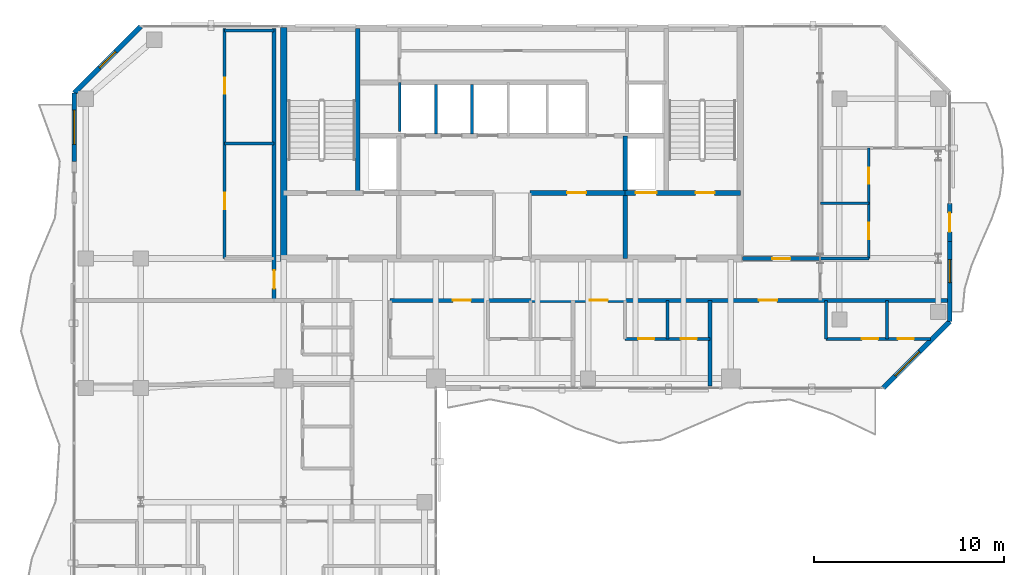
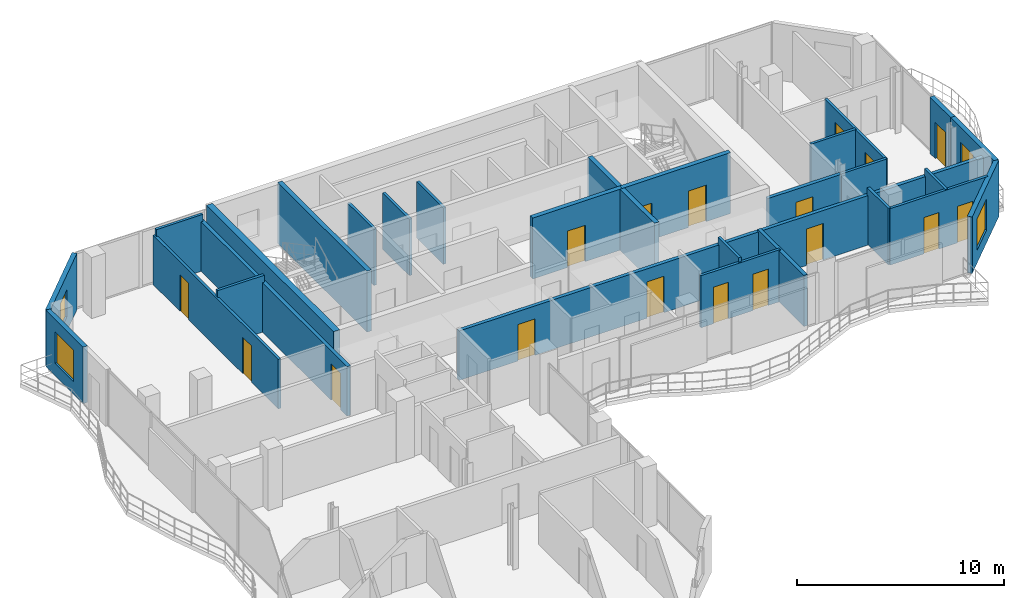
# One storey, part 19 of 23: 28 walls, 17 doors, 4 windows, 21 openings.
"""IFC4 building model written with IfcOpenShell, lengths in metres."""

from ifc_helpers import new_model, si_unit, direction, frame, frame_2d, origin, place, context, subcontext, project, spatial, rectangle, extrude, material, layer, layer_set, type_object, element, fill, save


model = new_model("IFC4")

# Units and contexts
model_context = context("Model", 3, precision=1e-05, world=origin(), true_north=direction((0.0, 1.0)))
body_context = subcontext(model_context, "Body", "Model", "MODEL_VIEW")
ifc_project = project(units=[si_unit("LENGTHUNIT", "METRE"), si_unit("AREAUNIT", "SQUARE_METRE"), si_unit("VOLUMEUNIT", "CUBIC_METRE"), si_unit("PLANEANGLEUNIT", "RADIAN"), si_unit("MASSUNIT", "GRAM", prefix="KILO")], contexts=[model_context])

# Site, building, storey
site_placement = place(None, origin())
site = spatial("IfcSite", under=ifc_project, at=site_placement, CompositionType="ELEMENT")
building_placement = place(site_placement, origin())
building = spatial("IfcBuilding", under=site, at=building_placement, Name="Catumbela Crestline Tower", CompositionType="ELEMENT")
storey_placement = place(building_placement, frame((0.0, 0.0, 175.8)))
storey = spatial("IfcBuildingStorey", under=building, at=storey_placement, Name="L45", CompositionType="ELEMENT", Elevation=175.8)

# Walls
ifc_material_1 = material(Name="Concrete C50/60", Category="concrete")
ifc_layer_1 = layer(ifc_material_1, 0.25, Name="Concrete C50/60")
ifc_layer_set_1 = layer_set([ifc_layer_1], Name="Concrete C50/60")
wall_type_1 = type_object("IfcWallType", Name="CW-250D", PredefinedType="SHEAR", material=ifc_layer_set_1)
wall_1_placement = place(storey_placement, frame((19.9, 34.25, 0.0), z_axis=(0.0, 0.0, 1.0), x_axis=(0.0, 1.0, 0.0)))
element("IfcWall", 1, at=wall_1_placement, inside=storey, type_object=wall_type_1, Name="L45 Structural Core Shear Wall WWEB", PredefinedType="SHEAR", context=body_context, shape_type="SweptSolid", body=[
    extrude(rectangle(XDim=8.65, YDim=0.25, at=frame_2d((4.325, 0.0))), origin(), (0.0, 0.0, 1.0), 3.6),
])
wall_2_placement = place(storey_placement, frame((33.95, 30.8, 0.0), z_axis=(0.0, 0.0, 1.0), x_axis=(0.0, 1.0, 0.0)))
element("IfcWall", 2, at=wall_2_placement, inside=storey, type_object=wall_type_1, Name="L45 Structural Core Shear Wall FFE", PredefinedType="SHEAR", context=body_context, shape_type="SweptSolid", body=[
    extrude(rectangle(XDim=6.45, YDim=0.25, at=frame_2d((3.225, 0.0))), origin(), (0.0, 0.0, 1.0), 3.6),
])

# Wall, openings, doors
wall_3_placement = place(storey_placement, frame((33.95, 34.25, 0.0), z_axis=(0.0, 0.0, 1.0), x_axis=(1.0, 0.0, 0.0)))
wall_3 = element("IfcWall", 3, at=wall_3_placement, inside=storey, type_object=wall_type_1, Name="L45 Structural Core Shear Wall ST2S", PredefinedType="SHEAR", context=body_context, shape_type="SweptSolid", body=[
    extrude(rectangle(XDim=6.05, YDim=0.25, at=frame_2d((3.025, 0.0))), origin(), (0.0, 0.0, 1.0), 3.6),
])
opening_1_placement = place(wall_3_placement, frame((3.7, 0.0, 0.0)))
opening_1 = element("IfcOpeningElement", 4, at=opening_1_placement, cuts=wall_3, Name="Opening DF9-100", PredefinedType="OPENING", context=body_context, shape_type="SweptSolid", body=[
    extrude(rectangle(XDim=1.0, YDim=2.15, at=frame_2d((0.5, 1.075))), frame((0.0, 0.135, 0.0), z_axis=(0.0, -1.0, 0.0), x_axis=(1.0, 0.0, 0.0)), (0.0, 0.0, 1.0), 0.27),
])
opening_2_placement = place(wall_3_placement, frame((0.55, 0.0, 0.0)))
opening_2 = element("IfcOpeningElement", 5, at=opening_2_placement, cuts=wall_3, Name="Opening LD-110", PredefinedType="OPENING", context=body_context, shape_type="SweptSolid", body=[
    extrude(rectangle(XDim=1.1, YDim=2.15, at=frame_2d((0.55, 1.075))), frame((0.0, 0.135, 0.0), z_axis=(0.0, -1.0, 0.0), x_axis=(1.0, 0.0, 0.0)), (0.0, 0.0, 1.0), 0.27),
])
ifc_material_2 = material(Name="Stainless steel EN 1.4401", Category="steel")
door_type_1 = type_object("IfcDoorType", Name="DF9-100", OperationType="NOTDEFINED", PredefinedType="DOOR", material=ifc_material_2)
door_1_placement = place(opening_1_placement, origin())
door_1 = element("IfcDoor", 6, at=door_1_placement, inside=storey, type_object=door_type_1, Name="L45 Interior Door DR-L45-ST02", OperationType="SINGLE_SWING_RIGHT", OverallHeight=2.15, OverallWidth=1.0, PredefinedType="DOOR", context=body_context, shape_type="SweptSolid", body=[
    extrude(rectangle(XDim=1.0, YDim=2.15, at=frame_2d((0.5, 1.075))), frame((0.0, 0.025, 0.0), z_axis=(0.0, -1.0, 0.0), x_axis=(1.0, 0.0, 0.0)), (0.0, 0.0, 1.0), 0.05),
])
fill(opening_1, door_1)
door_type_2 = type_object("IfcDoorType", Name="LD-110", OperationType="NOTDEFINED", PredefinedType="DOOR", material=ifc_material_2)
door_2_placement = place(opening_2_placement, origin())
door_2 = element("IfcDoor", 7, at=door_2_placement, inside=storey, type_object=door_type_2, Name="L45 Lift Landing Sliding Door FL-02", OperationType="DOUBLE_DOOR_SLIDING", OverallHeight=2.15, OverallWidth=1.1, PredefinedType="DOOR", context=body_context, shape_type="SweptSolid", body=[
    extrude(rectangle(XDim=1.1, YDim=2.15, at=frame_2d((0.55, 1.075))), frame((0.0, 0.025, 0.0), z_axis=(0.0, -1.0, 0.0), x_axis=(1.0, 0.0, 0.0)), (0.0, 0.0, 1.0), 0.05),
])
fill(opening_2, door_2)

# Wall, opening, door
wall_4_placement = place(storey_placement, frame((28.95, 34.25, 0.0), z_axis=(0.0, 0.0, 1.0), x_axis=(1.0, 0.0, 0.0)))
wall_4 = element("IfcWall", 8, at=wall_4_placement, inside=storey, type_object=wall_type_1, Name="L45 Structural Core Shear Wall LIFTS-E", PredefinedType="SHEAR", context=body_context, shape_type="SweptSolid", body=[
    extrude(rectangle(XDim=5.0, YDim=0.25, at=frame_2d((2.5, 0.0))), origin(), (0.0, 0.0, 1.0), 3.6),
])
opening_3_placement = place(wall_4_placement, frame((1.95, 0.0, 0.0)))
opening_3 = element("IfcOpeningElement", 9, at=opening_3_placement, cuts=wall_4, Name="Opening DF9-100", PredefinedType="OPENING", context=body_context, shape_type="SweptSolid", body=[
    extrude(rectangle(XDim=1.0, YDim=2.15, at=frame_2d((0.5, 1.075))), frame((0.0, 0.135, 0.0), z_axis=(0.0, -1.0, 0.0), x_axis=(1.0, 0.0, 0.0)), (0.0, 0.0, 1.0), 0.27),
])
door_3_placement = place(opening_3_placement, origin())
door_3 = element("IfcDoor", 10, at=door_3_placement, inside=storey, type_object=door_type_1, Name="L45 Interior Door DR-L45-RECL2", OperationType="SINGLE_SWING_RIGHT", OverallHeight=2.15, OverallWidth=1.0, PredefinedType="DOOR", context=body_context, shape_type="SweptSolid", body=[
    extrude(rectangle(XDim=1.0, YDim=2.15, at=frame_2d((0.5, 1.075))), frame((0.0, 0.025, 0.0), z_axis=(0.0, -1.0, 0.0), x_axis=(1.0, 0.0, 0.0)), (0.0, 0.0, 1.0), 0.05),
])
fill(opening_3, door_3)

# Wall
ifc_layer_2 = layer(ifc_material_1, 0.35, Name="Concrete C50/60")
ifc_layer_set_2 = layer_set([ifc_layer_2], Name="Concrete C50/60")
wall_type_2 = type_object("IfcWallType", Name="CW-350B", PredefinedType="SHEAR", material=ifc_layer_set_2)
wall_5_placement = place(storey_placement, frame((16.0, 30.65, 0.0), z_axis=(0.0, 0.0, 1.0), x_axis=(0.0, 1.0, 0.0)))
element("IfcWall", 11, at=wall_5_placement, inside=storey, type_object=wall_type_2, Name="L45 Structural Core Shear Wall W", PredefinedType="SHEAR", context=body_context, shape_type="SweptSolid", body=[
    extrude(rectangle(XDim=12.3, YDim=0.35, at=frame_2d((6.15, 0.0))), origin(), (0.0, 0.0, 1.0), 3.6),
])

# Wall, openings, doors
ifc_material_3 = material(Name="Acoustic gypsum and mineral-wool partition")
ifc_layer_3 = layer(ifc_material_3, 0.2, Name="Acoustic gypsum and mineral-wool partition")
ifc_layer_set_3 = layer_set([ifc_layer_3], Name="Acoustic gypsum and mineral-wool partition")
wall_type_3 = type_object("IfcWallType", Name="WC-200", PredefinedType="PARTITIONING", material=ifc_layer_set_3)
wall_6_placement = place(storey_placement, frame((21.6, 28.6, 0.0), z_axis=(0.0, 0.0, 1.0), x_axis=(1.0, 0.0, 0.0)))
wall_6 = element("IfcWall", 12, at=wall_6_placement, inside=storey, type_object=wall_type_3, Name="L45 Interior Partition PW-L45-RCWR", PredefinedType="PARTITIONING", context=body_context, shape_type="SweptSolid", body=[
    extrude(rectangle(XDim=29.3, YDim=0.2, at=frame_2d((14.65, 0.0))), origin(), (0.0, 0.0, 1.0), 2.92),
])
opening_4_placement = place(wall_6_placement, frame((3.293, 0.0, 0.0)))
opening_4 = element("IfcOpeningElement", 13, at=opening_4_placement, cuts=wall_6, Name="Opening DF6-095", PredefinedType="OPENING", context=body_context, shape_type="SweptSolid", body=[
    extrude(rectangle(XDim=0.95, YDim=2.15, at=frame_2d((0.475, 1.075))), frame((0.0, 0.11, 0.0), z_axis=(0.0, -1.0, 0.0), x_axis=(1.0, 0.0, 0.0)), (0.0, 0.0, 1.0), 0.22),
])
opening_5_placement = place(wall_6_placement, frame((10.493, 0.0, 0.0)))
opening_5 = element("IfcOpeningElement", 14, at=opening_5_placement, cuts=wall_6, Name="Opening DF6-095", PredefinedType="OPENING", context=body_context, shape_type="SweptSolid", body=[
    extrude(rectangle(XDim=0.95, YDim=2.15, at=frame_2d((0.475, 1.075))), frame((0.0, 0.11, 0.0), z_axis=(0.0, -1.0, 0.0), x_axis=(1.0, 0.0, 0.0)), (0.0, 0.0, 1.0), 0.22),
])
opening_6_placement = place(wall_6_placement, frame((19.375, 0.0, 0.0)))
opening_6 = element("IfcOpeningElement", 15, at=opening_6_placement, cuts=wall_6, Name="Opening DF6-095", PredefinedType="OPENING", context=body_context, shape_type="SweptSolid", body=[
    extrude(rectangle(XDim=0.95, YDim=2.15, at=frame_2d((0.475, 1.075))), frame((0.0, 0.11, 0.0), z_axis=(0.0, -1.0, 0.0), x_axis=(1.0, 0.0, 0.0)), (0.0, 0.0, 1.0), 0.22),
])
ifc_material_4 = material(Name="Aluminium alloy AW-6060-T66", Category="aluminium")
door_type_3 = type_object("IfcDoorType", Name="DF6-095", OperationType="NOTDEFINED", PredefinedType="DOOR", material=ifc_material_4)
door_4_placement = place(opening_4_placement, origin())
door_4 = element("IfcDoor", 16, at=door_4_placement, inside=storey, type_object=door_type_3, Name="L45 Interior Door DR-L45-S1-ENT", OperationType="SINGLE_SWING_LEFT", OverallHeight=2.15, OverallWidth=0.95, PredefinedType="DOOR", context=body_context, shape_type="SweptSolid", body=[
    extrude(rectangle(XDim=0.95, YDim=2.15, at=frame_2d((0.475, 1.075))), frame((0.0, 0.025, 0.0), z_axis=(0.0, -1.0, 0.0), x_axis=(1.0, 0.0, 0.0)), (0.0, 0.0, 1.0), 0.05),
])
fill(opening_4, door_4)
door_5_placement = place(opening_5_placement, origin())
door_5 = element("IfcDoor", 17, at=door_5_placement, inside=storey, type_object=door_type_3, Name="L45 Interior Door DR-L45-S2-ENT", OperationType="SINGLE_SWING_RIGHT", OverallHeight=2.15, OverallWidth=0.95, PredefinedType="DOOR", context=body_context, shape_type="SweptSolid", body=[
    extrude(rectangle(XDim=0.95, YDim=2.15, at=frame_2d((0.475, 1.075))), frame((0.0, 0.025, 0.0), z_axis=(0.0, -1.0, 0.0), x_axis=(1.0, 0.0, 0.0)), (0.0, 0.0, 1.0), 0.05),
])
fill(opening_5, door_5)
door_6_placement = place(opening_6_placement, origin())
door_6 = element("IfcDoor", 18, at=door_6_placement, inside=storey, type_object=door_type_3, Name="L45 Interior Door DR-L45-S3-ENT", OperationType="SINGLE_SWING_LEFT", OverallHeight=2.15, OverallWidth=0.95, PredefinedType="DOOR", context=body_context, shape_type="SweptSolid", body=[
    extrude(rectangle(XDim=0.95, YDim=2.15, at=frame_2d((0.475, 1.075))), frame((0.0, 0.025, 0.0), z_axis=(0.0, -1.0, 0.0), x_axis=(1.0, 0.0, 0.0)), (0.0, 0.0, 1.0), 0.05),
])
fill(opening_6, door_6)

# Wall, opening, door
wall_7_placement = place(storey_placement, frame((15.5, 28.6, 0.0), z_axis=(0.0, 0.0, 1.0), x_axis=(0.0, 1.0, 0.0)))
wall_7 = element("IfcWall", 19, at=wall_7_placement, inside=storey, type_object=wall_type_3, Name="L45 Interior Partition PW-L45-NW1-ENT", PredefinedType="PARTITIONING", context=body_context, shape_type="SweptSolid", body=[
    extrude(rectangle(XDim=14.3, YDim=0.2, at=frame_2d((7.15, 0.0))), origin(), (0.0, 0.0, 1.0), 2.92),
])
opening_7_placement = place(wall_7_placement, frame((0.625, 0.0, 0.0)))
opening_7 = element("IfcOpeningElement", 20, at=opening_7_placement, cuts=wall_7, Name="Opening DF6-095", PredefinedType="OPENING", context=body_context, shape_type="SweptSolid", body=[
    extrude(rectangle(XDim=0.95, YDim=2.15, at=frame_2d((0.475, 1.075))), frame((0.0, 0.11, 0.0), z_axis=(0.0, -1.0, 0.0), x_axis=(1.0, 0.0, 0.0)), (0.0, 0.0, 1.0), 0.22),
])
door_7_placement = place(opening_7_placement, origin())
door_7 = element("IfcDoor", 21, at=door_7_placement, inside=storey, type_object=door_type_3, Name="L45 Interior Door DR-L45-NW1-ENT", OperationType="SINGLE_SWING_LEFT", OverallHeight=2.15, OverallWidth=0.95, PredefinedType="DOOR", context=body_context, shape_type="SweptSolid", body=[
    extrude(rectangle(XDim=0.95, YDim=2.15, at=frame_2d((0.475, 1.075))), frame((0.0, 0.025, 0.0), z_axis=(0.0, -1.0, 0.0), x_axis=(1.0, 0.0, 0.0)), (0.0, 0.0, 1.0), 0.05),
])
fill(opening_7, door_7)

wall_8_placement = place(storey_placement, frame((40.1, 30.8, 0.0), z_axis=(0.0, 0.0, 1.0), x_axis=(1.0, 0.0, 0.0)))
wall_8 = element("IfcWall", 22, at=wall_8_placement, inside=storey, type_object=wall_type_3, Name="L45 Interior Partition PW-L45-NERM-ENT", PredefinedType="PARTITIONING", context=body_context, shape_type="SweptSolid", body=[
    extrude(rectangle(XDim=4.1, YDim=0.2, at=frame_2d((2.05, 0.0))), origin(), (0.0, 0.0, 1.0), 2.92),
])
opening_8_placement = place(wall_8_placement, frame((1.575, 0.0, 0.0)))
opening_8 = element("IfcOpeningElement", 23, at=opening_8_placement, cuts=wall_8, Name="Opening DF6-095", PredefinedType="OPENING", context=body_context, shape_type="SweptSolid", body=[
    extrude(rectangle(XDim=0.95, YDim=2.15, at=frame_2d((0.475, 1.075))), frame((0.0, 0.11, 0.0), z_axis=(0.0, -1.0, 0.0), x_axis=(1.0, 0.0, 0.0)), (0.0, 0.0, 1.0), 0.22),
])
door_8_placement = place(opening_8_placement, origin())
door_8 = element("IfcDoor", 24, at=door_8_placement, inside=storey, type_object=door_type_3, Name="L45 Interior Door DR-L45-NERM-ENT", OperationType="SINGLE_SWING_LEFT", OverallHeight=2.15, OverallWidth=0.95, PredefinedType="DOOR", context=body_context, shape_type="SweptSolid", body=[
    extrude(rectangle(XDim=0.95, YDim=2.15, at=frame_2d((0.475, 1.075))), frame((0.0, 0.025, 0.0), z_axis=(0.0, -1.0, 0.0), x_axis=(1.0, 0.0, 0.0)), (0.0, 0.0, 1.0), 0.05),
])
fill(opening_8, door_8)

# Wall, opening, window
ifc_material_5 = material(Name="Angolan grey-ochre granite", Category="masonry")
ifc_layer_4 = layer(ifc_material_5, 0.25, Name="Angolan grey-ochre granite")
ifc_layer_set_4 = layer_set([ifc_layer_4], Name="Angolan grey-ochre granite")
wall_type_4 = type_object("IfcWallType", Name="WE-250", PredefinedType="STANDARD", material=ifc_layer_set_4)
wall_9_placement = place(storey_placement, frame((47.5, 24.0, 0.0), z_axis=(0.0, 0.0, 1.0), x_axis=(0.707106781187, 0.707106781187, 0.0)))
wall_9 = element("IfcWall", 25, at=wall_9_placement, inside=storey, type_object=wall_type_4, Name="L45 Granite Punched Window Wall 4-1", PredefinedType="STANDARD", context=body_context, shape_type="SweptSolid", body=[
    extrude(rectangle(XDim=4.9497, YDim=0.25, at=frame_2d((2.4748, 0.0))), origin(), (0.0, 0.0, 1.0), 3.33),
])
opening_9_placement = place(wall_9_placement, frame((0.8962, 0.0, 0.75)))
opening_9 = element("IfcOpeningElement", 26, at=opening_9_placement, cuts=wall_9, Name="Opening WN-01", PredefinedType="OPENING", context=body_context, shape_type="SweptSolid", body=[
    extrude(rectangle(XDim=1.8, YDim=1.85, at=frame_2d((0.9, 0.925))), frame((0.0, 0.135, 0.0), z_axis=(0.0, -1.0, 0.0), x_axis=(1.0, 0.0, 0.0)), (0.0, 0.0, 1.0), 0.27),
])
ifc_material_6 = material(Name="Low-E laminated solar-control double glazing", Category="glass")
window_type_1 = type_object("IfcWindowType", Name="WF-1800", PartitioningType="SINGLE_PANEL", PredefinedType="WINDOW", material=ifc_material_6)
window_1_placement = place(opening_9_placement, origin())
window_1 = element("IfcWindow", 27, at=window_1_placement, inside=storey, type_object=window_type_1, Name="L45 Facade Vision Window 279", OverallHeight=1.85, OverallWidth=1.8, PartitioningType="SINGLE_PANEL", PredefinedType="WINDOW", context=body_context, shape_type="SweptSolid", body=[
    extrude(rectangle(XDim=1.8, YDim=1.85, at=frame_2d((0.9, 0.925))), frame((0.0, 0.03, 0.0), z_axis=(0.0, -1.0, 0.0), x_axis=(1.0, 0.0, 0.0)), (0.0, 0.0, 1.0), 0.06),
])
fill(opening_9, window_1)

# Wall, opening, door
wall_10_placement = place(storey_placement, frame((51.0, 31.7, 0.0), z_axis=(0.0, 0.0, 1.0), x_axis=(0.0, 1.0, 0.0)))
wall_10 = element("IfcWall", 28, at=wall_10_placement, inside=storey, type_object=wall_type_4, Name="L45 Exterior Threshold Portal Wall DR-L45-WBAL-2", PredefinedType="STANDARD", context=body_context, shape_type="SweptSolid", body=[
    extrude(rectangle(XDim=2.0, YDim=0.25, at=frame_2d((1.0, 0.0))), origin(), (0.0, 0.0, 1.0), 3.33),
])
opening_10_placement = place(wall_10_placement, frame((0.5, 0.0, 0.0)))
opening_10 = element("IfcOpeningElement", 29, at=opening_10_placement, cuts=wall_10, Name="Opening DB-L45-2", PredefinedType="OPENING", context=body_context, shape_type="SweptSolid", body=[
    extrude(rectangle(XDim=1.0, YDim=2.15, at=frame_2d((0.5, 1.075))), frame((0.0, 0.135, 0.0), z_axis=(0.0, -1.0, 0.0), x_axis=(1.0, 0.0, 0.0)), (0.0, 0.0, 1.0), 0.27),
])
door_type_4 = type_object("IfcDoorType", Name="DB-1000", OperationType="NOTDEFINED", PredefinedType="DOOR", material=ifc_material_4)
door_9_placement = place(opening_10_placement, origin())
door_9 = element("IfcDoor", 30, at=door_9_placement, inside=storey, type_object=door_type_4, Name="L45 Wave Balcony Terrace Door 2", OperationType="SINGLE_SWING_RIGHT", OverallHeight=2.15, OverallWidth=1.0, PredefinedType="DOOR", context=body_context, shape_type="SweptSolid", body=[
    extrude(rectangle(XDim=1.0, YDim=2.15, at=frame_2d((0.5, 1.075))), frame((0.0, 0.025, 0.0), z_axis=(0.0, -1.0, 0.0), x_axis=(1.0, 0.0, 0.0)), (0.0, 0.0, 1.0), 0.05),
])
fill(opening_10, door_9)

# Wall, opening, window
wall_11_placement = place(storey_placement, frame((51.0, 27.5, 0.0), z_axis=(0.0, 0.0, 1.0), x_axis=(0.0, 1.0, 0.0)))
wall_11 = element("IfcWall", 31, at=wall_11_placement, inside=storey, type_object=wall_type_4, Name="L45 Granite Punched Window Wall 5-1", PredefinedType="STANDARD", context=body_context, shape_type="SweptSolid", body=[
    extrude(rectangle(XDim=4.2, YDim=0.25, at=frame_2d((2.1, 0.0))), origin(), (0.0, 0.0, 1.0), 3.33),
])
opening_11_placement = place(wall_11_placement, frame((2.04, 0.0, 0.85)))
opening_11 = element("IfcOpeningElement", 32, at=opening_11_placement, cuts=wall_11, Name="Opening WN-02", PredefinedType="OPENING", context=body_context, shape_type="SweptSolid", body=[
    extrude(rectangle(XDim=1.2, YDim=1.6, at=frame_2d((0.6, 0.8))), frame((0.0, 0.135, 0.0), z_axis=(0.0, -1.0, 0.0), x_axis=(1.0, 0.0, 0.0)), (0.0, 0.0, 1.0), 0.27),
])
window_type_2 = type_object("IfcWindowType", Name="WO-1200", PartitioningType="SINGLE_PANEL", PredefinedType="WINDOW", material=ifc_material_6)
window_2_placement = place(opening_11_placement, origin())
window_2 = element("IfcWindow", 33, at=window_2_placement, inside=storey, type_object=window_type_2, Name="L45 Facade Vision Window 280", OverallHeight=1.6, OverallWidth=1.2, PartitioningType="SINGLE_PANEL", PredefinedType="WINDOW", context=body_context, shape_type="SweptSolid", body=[
    extrude(rectangle(XDim=1.2, YDim=1.6, at=frame_2d((0.6, 0.8))), frame((0.0, 0.03, 0.0), z_axis=(0.0, -1.0, 0.0), x_axis=(1.0, 0.0, 0.0)), (0.0, 0.0, 1.0), 0.06),
])
fill(opening_11, window_2)

wall_12_placement = place(storey_placement, frame((8.5, 43.0, 0.0), z_axis=(0.0, 0.0, 1.0), x_axis=(-0.707106781187, -0.707106781187, 0.0)))
wall_12 = element("IfcWall", 34, at=wall_12_placement, inside=storey, type_object=wall_type_4, Name="L45 Granite Punched Window Wall 8-1", PredefinedType="STANDARD", context=body_context, shape_type="SweptSolid", body=[
    extrude(rectangle(XDim=4.9497, YDim=0.25, at=frame_2d((2.4748, 0.0))), origin(), (0.0, 0.0, 1.0), 3.33),
])
opening_12_placement = place(wall_12_placement, frame((1.8748, 0.0, 0.85)))
opening_12 = element("IfcOpeningElement", 35, at=opening_12_placement, cuts=wall_12, Name="Opening WN-02", PredefinedType="OPENING", context=body_context, shape_type="SweptSolid", body=[
    extrude(rectangle(XDim=1.2, YDim=1.6, at=frame_2d((0.6, 0.8))), frame((0.0, 0.135, 0.0), z_axis=(0.0, -1.0, 0.0), x_axis=(1.0, 0.0, 0.0)), (0.0, 0.0, 1.0), 0.27),
])
window_3_placement = place(opening_12_placement, origin())
window_3 = element("IfcWindow", 36, at=window_3_placement, inside=storey, type_object=window_type_2, Name="L45 Facade Vision Window 282", OverallHeight=1.6, OverallWidth=1.2, PartitioningType="SINGLE_PANEL", PredefinedType="WINDOW", context=body_context, shape_type="SweptSolid", body=[
    extrude(rectangle(XDim=1.2, YDim=1.6, at=frame_2d((0.6, 0.8))), frame((0.0, 0.03, 0.0), z_axis=(0.0, -1.0, 0.0), x_axis=(1.0, 0.0, 0.0)), (0.0, 0.0, 1.0), 0.06),
])
fill(opening_12, window_3)

wall_13_placement = place(storey_placement, frame((5.0, 39.5, 0.0), z_axis=(0.0, 0.0, 1.0), x_axis=(0.0, -1.0, 0.0)))
wall_13 = element("IfcWall", 37, at=wall_13_placement, inside=storey, type_object=wall_type_4, Name="L45 Granite Punched Window Wall 9-1", PredefinedType="STANDARD", context=body_context, shape_type="SweptSolid", body=[
    extrude(rectangle(XDim=3.6, YDim=0.25, at=frame_2d((1.8, 0.0))), origin(), (0.0, 0.0, 1.0), 3.33),
])
opening_13_placement = place(wall_13_placement, frame((0.9, 0.0, 0.75)))
opening_13 = element("IfcOpeningElement", 38, at=opening_13_placement, cuts=wall_13, Name="Opening WN-01", PredefinedType="OPENING", context=body_context, shape_type="SweptSolid", body=[
    extrude(rectangle(XDim=1.8, YDim=1.85, at=frame_2d((0.9, 0.925))), frame((0.0, 0.135, 0.0), z_axis=(0.0, -1.0, 0.0), x_axis=(1.0, 0.0, 0.0)), (0.0, 0.0, 1.0), 0.27),
])
window_4_placement = place(opening_13_placement, origin())
window_4 = element("IfcWindow", 39, at=window_4_placement, inside=storey, type_object=window_type_1, Name="L45 Facade Vision Window 283", OverallHeight=1.85, OverallWidth=1.8, PartitioningType="SINGLE_PANEL", PredefinedType="WINDOW", context=body_context, shape_type="SweptSolid", body=[
    extrude(rectangle(XDim=1.8, YDim=1.85, at=frame_2d((0.9, 0.925))), frame((0.0, 0.03, 0.0), z_axis=(0.0, -1.0, 0.0), x_axis=(1.0, 0.0, 0.0)), (0.0, 0.0, 1.0), 0.06),
])
fill(opening_13, window_4)

# Wall
ifc_layer_5 = layer(ifc_material_3, 0.15, Name="Acoustic gypsum and mineral-wool partition")
ifc_layer_set_5 = layer_set([ifc_layer_5], Name="Acoustic gypsum and mineral-wool partition")
wall_type_5 = type_object("IfcWallType", Name="WP-150", PredefinedType="PARTITIONING", material=ifc_layer_set_5)
wall_14_placement = place(storey_placement, frame((12.9, 36.85, 0.0), z_axis=(0.0, 0.0, 1.0), x_axis=(1.0, 0.0, 0.0)))
element("IfcWall", 40, at=wall_14_placement, inside=storey, type_object=wall_type_5, Name="L45 Interior Partition PW-L45-NW1-KBM", PredefinedType="PARTITIONING", context=body_context, shape_type="SweptSolid", body=[
    extrude(rectangle(XDim=2.6, YDim=0.15, at=frame_2d((1.3, 0.0))), origin(), (0.0, 0.0, 1.0), 3.33),
])

# Wall, openings, doors
wall_15_placement = place(storey_placement, frame((12.9, 30.8, 0.0), z_axis=(0.0, 0.0, 1.0), x_axis=(0.0, 1.0, 0.0)))
wall_15 = element("IfcWall", 41, at=wall_15_placement, inside=storey, type_object=wall_type_5, Name="L45 Interior Partition PW-L45-NW1-SK1", PredefinedType="PARTITIONING", context=body_context, shape_type="SweptSolid", body=[
    extrude(rectangle(XDim=12.1, YDim=0.15, at=frame_2d((6.05, 0.0))), origin(), (0.0, 0.0, 1.0), 2.92),
])
opening_14_placement = place(wall_15_placement, frame((2.6, 0.0, 0.0)))
opening_14 = element("IfcOpeningElement", 42, at=opening_14_placement, cuts=wall_15, Name="Opening DI-085", PredefinedType="OPENING", context=body_context, shape_type="SweptSolid", body=[
    extrude(rectangle(XDim=0.85, YDim=2.15, at=frame_2d((0.425, 1.075))), frame((0.0, 0.085, 0.0), z_axis=(0.0, -1.0, 0.0), x_axis=(1.0, 0.0, 0.0)), (0.0, 0.0, 1.0), 0.17),
])
opening_15_placement = place(wall_15_placement, frame((8.65, 0.0, 0.0)))
opening_15 = element("IfcOpeningElement", 43, at=opening_15_placement, cuts=wall_15, Name="Opening DI-085", PredefinedType="OPENING", context=body_context, shape_type="SweptSolid", body=[
    extrude(rectangle(XDim=0.85, YDim=2.15, at=frame_2d((0.425, 1.075))), frame((0.0, 0.085, 0.0), z_axis=(0.0, -1.0, 0.0), x_axis=(1.0, 0.0, 0.0)), (0.0, 0.0, 1.0), 0.17),
])
door_type_5 = type_object("IfcDoorType", Name="DI-085", OperationType="NOTDEFINED", PredefinedType="DOOR", material=ifc_material_4)
door_10_placement = place(opening_14_placement, origin())
door_10 = element("IfcDoor", 44, at=door_10_placement, inside=storey, type_object=door_type_5, Name="L45 Interior Door DR-L45-NW1-KIT", OperationType="SINGLE_SWING_LEFT", OverallHeight=2.15, OverallWidth=0.85, PredefinedType="DOOR", context=body_context, shape_type="SweptSolid", body=[
    extrude(rectangle(XDim=0.85, YDim=2.15, at=frame_2d((0.425, 1.075))), frame((0.0, 0.025, 0.0), z_axis=(0.0, -1.0, 0.0), x_axis=(1.0, 0.0, 0.0)), (0.0, 0.0, 1.0), 0.05),
])
fill(opening_14, door_10)
door_11_placement = place(opening_15_placement, origin())
door_11 = element("IfcDoor", 45, at=door_11_placement, inside=storey, type_object=door_type_5, Name="L45 Interior Door DR-L45-NW1-BTH", OperationType="SINGLE_SWING_RIGHT", OverallHeight=2.15, OverallWidth=0.85, PredefinedType="DOOR", context=body_context, shape_type="SweptSolid", body=[
    extrude(rectangle(XDim=0.85, YDim=2.15, at=frame_2d((0.425, 1.075))), frame((0.0, 0.025, 0.0), z_axis=(0.0, -1.0, 0.0), x_axis=(1.0, 0.0, 0.0)), (0.0, 0.0, 1.0), 0.05),
])
fill(opening_15, door_11)

# Walls
wall_16_placement = place(storey_placement, frame((12.9, 42.78, 0.0), z_axis=(0.0, 0.0, 1.0), x_axis=(1.0, 0.0, 0.0)))
element("IfcWall", 46, at=wall_16_placement, inside=storey, type_object=wall_type_5, Name="L45 Interior Partition PW-L45-NW1-BTH-BCL-2", PredefinedType="PARTITIONING", context=body_context, shape_type="SweptSolid", body=[
    extrude(rectangle(XDim=2.6, YDim=0.15, at=frame_2d((1.3, 0.0))), origin(), (0.0, 0.0, 1.0), 3.33),
])
for number, where, z_axis, x_axis, name in (
    (47, (44.2, 30.8, 0.0), (0.0, 0.0, 1.0), (1.0, 0.0, 0.0), "L45 Interior Partition PW-L45-NE1-KBS"),
    (48, (44.2, 33.704, 0.0), (0.0, 0.0, 1.0), (1.0, 0.0, 0.0), "L45 Interior Partition PW-L45-NE1-KBM"),
):
    element("IfcWall", number, at=place(storey_placement, frame(where, z_axis=z_axis, x_axis=x_axis)), inside=storey, type_object=wall_type_5, Name=name, PredefinedType="PARTITIONING", context=body_context, shape_type="SweptSolid", body=[
        extrude(rectangle(XDim=2.546, YDim=0.15, at=frame_2d((1.273, 0.0))), origin(), (0.0, 0.0, 1.0), 2.92),
    ])

# Wall, openings, doors
wall_17_placement = place(storey_placement, frame((46.746, 30.8, 0.0), z_axis=(0.0, 0.0, 1.0), x_axis=(0.0, 1.0, 0.0)))
wall_17 = element("IfcWall", 49, at=wall_17_placement, inside=storey, type_object=wall_type_5, Name="L45 Interior Partition PW-L45-NE1-LK", PredefinedType="PARTITIONING", context=body_context, shape_type="SweptSolid", body=[
    extrude(rectangle(XDim=5.808, YDim=0.15, at=frame_2d((2.904, 0.0))), origin(), (0.0, 0.0, 1.0), 2.92),
])
opening_16_placement = place(wall_17_placement, frame((1.027, 0.0, 0.0)))
opening_16 = element("IfcOpeningElement", 50, at=opening_16_placement, cuts=wall_17, Name="Opening DI-085", PredefinedType="OPENING", context=body_context, shape_type="SweptSolid", body=[
    extrude(rectangle(XDim=0.85, YDim=2.15, at=frame_2d((0.425, 1.075))), frame((0.0, 0.085, 0.0), z_axis=(0.0, -1.0, 0.0), x_axis=(1.0, 0.0, 0.0)), (0.0, 0.0, 1.0), 0.17),
])
opening_17_placement = place(wall_17_placement, frame((3.931, 0.0, 0.0)))
opening_17 = element("IfcOpeningElement", 51, at=opening_17_placement, cuts=wall_17, Name="Opening DI-085", PredefinedType="OPENING", context=body_context, shape_type="SweptSolid", body=[
    extrude(rectangle(XDim=0.85, YDim=2.15, at=frame_2d((0.425, 1.075))), frame((0.0, 0.085, 0.0), z_axis=(0.0, -1.0, 0.0), x_axis=(1.0, 0.0, 0.0)), (0.0, 0.0, 1.0), 0.17),
])
door_12_placement = place(opening_16_placement, origin())
door_12 = element("IfcDoor", 52, at=door_12_placement, inside=storey, type_object=door_type_5, Name="L45 Interior Door DR-L45-NE1-KIT", OperationType="SINGLE_SWING_LEFT", OverallHeight=2.15, OverallWidth=0.85, PredefinedType="DOOR", context=body_context, shape_type="SweptSolid", body=[
    extrude(rectangle(XDim=0.85, YDim=2.15, at=frame_2d((0.425, 1.075))), frame((0.0, 0.025, 0.0), z_axis=(0.0, -1.0, 0.0), x_axis=(1.0, 0.0, 0.0)), (0.0, 0.0, 1.0), 0.05),
])
fill(opening_16, door_12)
door_13_placement = place(opening_17_placement, origin())
door_13 = element("IfcDoor", 53, at=door_13_placement, inside=storey, type_object=door_type_5, Name="L45 Interior Door DR-L45-NE1-BTH", OperationType="SINGLE_SWING_RIGHT", OverallHeight=2.15, OverallWidth=0.85, PredefinedType="DOOR", context=body_context, shape_type="SweptSolid", body=[
    extrude(rectangle(XDim=0.85, YDim=2.15, at=frame_2d((0.425, 1.075))), frame((0.0, 0.025, 0.0), z_axis=(0.0, -1.0, 0.0), x_axis=(1.0, 0.0, 0.0)), (0.0, 0.0, 1.0), 0.05),
])
fill(opening_17, door_13)

# Wall
wall_18_placement = place(storey_placement, frame((36.168, 26.576, 0.0), z_axis=(0.0, 0.0, 1.0), x_axis=(0.0, 1.0, 0.0)))
element("IfcWall", 54, at=wall_18_placement, inside=storey, type_object=wall_type_5, Name="L45 Interior Partition PW-L45-S2-KBM", PredefinedType="PARTITIONING", context=body_context, shape_type="SweptSolid", body=[
    extrude(rectangle(XDim=2.024, YDim=0.15, at=frame_2d((1.012, 0.0))), origin(), (0.0, 0.0, 1.0), 3.33),
])

# Wall, openings, doors
wall_19_placement = place(storey_placement, frame((33.936, 26.576, 0.0), z_axis=(0.0, 0.0, 1.0), x_axis=(1.0, 0.0, 0.0)))
wall_19 = element("IfcWall", 55, at=wall_19_placement, inside=storey, type_object=wall_type_5, Name="L45 Interior Partition PW-L45-S2-KBD1", PredefinedType="PARTITIONING", context=body_context, shape_type="SweptSolid", body=[
    extrude(rectangle(XDim=4.464, YDim=0.15, at=frame_2d((2.232, 0.0))), origin(), (0.0, 0.0, 1.0), 3.07),
])
opening_18_placement = place(wall_19_placement, frame((0.691, 0.0, 0.0)))
opening_18 = element("IfcOpeningElement", 56, at=opening_18_placement, cuts=wall_19, Name="Opening DI-085", PredefinedType="OPENING", context=body_context, shape_type="SweptSolid", body=[
    extrude(rectangle(XDim=0.85, YDim=2.15, at=frame_2d((0.425, 1.075))), frame((0.0, 0.085, 0.0), z_axis=(0.0, -1.0, 0.0), x_axis=(1.0, 0.0, 0.0)), (0.0, 0.0, 1.0), 0.17),
])
opening_19_placement = place(wall_19_placement, frame((2.923, 0.0, 0.0)))
opening_19 = element("IfcOpeningElement", 57, at=opening_19_placement, cuts=wall_19, Name="Opening DI-085", PredefinedType="OPENING", context=body_context, shape_type="SweptSolid", body=[
    extrude(rectangle(XDim=0.85, YDim=2.15, at=frame_2d((0.425, 1.075))), frame((0.0, 0.085, 0.0), z_axis=(0.0, -1.0, 0.0), x_axis=(1.0, 0.0, 0.0)), (0.0, 0.0, 1.0), 0.17),
])
door_14_placement = place(opening_18_placement, origin())
door_14 = element("IfcDoor", 58, at=door_14_placement, inside=storey, type_object=door_type_5, Name="L45 Interior Door DR-L45-S2-BTH", OperationType="SINGLE_SWING_LEFT", OverallHeight=2.15, OverallWidth=0.85, PredefinedType="DOOR", context=body_context, shape_type="SweptSolid", body=[
    extrude(rectangle(XDim=0.85, YDim=2.15, at=frame_2d((0.425, 1.075))), frame((0.0, 0.025, 0.0), z_axis=(0.0, -1.0, 0.0), x_axis=(1.0, 0.0, 0.0)), (0.0, 0.0, 1.0), 0.05),
])
fill(opening_18, door_14)
door_15_placement = place(opening_19_placement, origin())
door_15 = element("IfcDoor", 59, at=door_15_placement, inside=storey, type_object=door_type_5, Name="L45 Interior Door DR-L45-S2-KIT", OperationType="SINGLE_SWING_RIGHT", OverallHeight=2.15, OverallWidth=0.85, PredefinedType="DOOR", context=body_context, shape_type="SweptSolid", body=[
    extrude(rectangle(XDim=0.85, YDim=2.15, at=frame_2d((0.425, 1.075))), frame((0.0, 0.025, 0.0), z_axis=(0.0, -1.0, 0.0), x_axis=(1.0, 0.0, 0.0)), (0.0, 0.0, 1.0), 0.05),
])
fill(opening_19, door_15)

# Walls
for number, where, z_axis, x_axis, name in (
    (60, (44.5, 26.576, 0.0), (0.0, 0.0, 1.0), (0.0, 1.0, 0.0), "L45 Interior Partition PW-L45-S3-KBW"),
    (61, (47.7, 26.576, 0.0), (0.0, 0.0, 1.0), (0.0, 1.0, 0.0), "L45 Interior Partition PW-L45-S3-KBM"),
):
    element("IfcWall", number, at=place(storey_placement, frame(where, z_axis=z_axis, x_axis=x_axis)), inside=storey, type_object=wall_type_5, Name=name, PredefinedType="PARTITIONING", context=body_context, shape_type="SweptSolid", body=[
        extrude(rectangle(XDim=2.024, YDim=0.15, at=frame_2d((1.012, 0.0))), origin(), (0.0, 0.0, 1.0), 3.33),
    ])

# Wall, openings, doors
wall_20_placement = place(storey_placement, frame((44.5, 26.576, 0.0), z_axis=(0.0, 0.0, 1.0), x_axis=(1.0, 0.0, 0.0)))
wall_20 = element("IfcWall", 62, at=wall_20_placement, inside=storey, type_object=wall_type_5, Name="L45 Interior Partition PW-L45-S3-KBD1", PredefinedType="PARTITIONING", context=body_context, shape_type="SweptSolid", body=[
    extrude(rectangle(XDim=5.476, YDim=0.15, at=frame_2d((2.738, 0.0))), origin(), (0.0, 0.0, 1.0), 3.33),
])
opening_20_placement = place(wall_20_placement, frame((1.8821, 0.0, 0.0)))
opening_20 = element("IfcOpeningElement", 63, at=opening_20_placement, cuts=wall_20, Name="Opening DI-085", PredefinedType="OPENING", context=body_context, shape_type="SweptSolid", body=[
    extrude(rectangle(XDim=0.85, YDim=2.15, at=frame_2d((0.425, 1.075))), frame((0.0, 0.085, 0.0), z_axis=(0.0, -1.0, 0.0), x_axis=(1.0, 0.0, 0.0)), (0.0, 0.0, 1.0), 0.17),
])
opening_21_placement = place(wall_20_placement, frame((3.7704, 0.0, 0.0)))
opening_21 = element("IfcOpeningElement", 64, at=opening_21_placement, cuts=wall_20, Name="Opening DI-085", PredefinedType="OPENING", context=body_context, shape_type="SweptSolid", body=[
    extrude(rectangle(XDim=0.85, YDim=2.15, at=frame_2d((0.425, 1.075))), frame((0.0, 0.085, 0.0), z_axis=(0.0, -1.0, 0.0), x_axis=(1.0, 0.0, 0.0)), (0.0, 0.0, 1.0), 0.17),
])
door_16_placement = place(opening_20_placement, origin())
door_16 = element("IfcDoor", 65, at=door_16_placement, inside=storey, type_object=door_type_5, Name="L45 Interior Door DR-L45-S3-BTH", OperationType="SINGLE_SWING_RIGHT", OverallHeight=2.15, OverallWidth=0.85, PredefinedType="DOOR", context=body_context, shape_type="SweptSolid", body=[
    extrude(rectangle(XDim=0.85, YDim=2.15, at=frame_2d((0.425, 1.075))), frame((0.0, 0.025, 0.0), z_axis=(0.0, -1.0, 0.0), x_axis=(1.0, 0.0, 0.0)), (0.0, 0.0, 1.0), 0.05),
])
fill(opening_20, door_16)
door_17_placement = place(opening_21_placement, origin())
door_17 = element("IfcDoor", 66, at=door_17_placement, inside=storey, type_object=door_type_5, Name="L45 Interior Door DR-L45-S3-KIT", OperationType="SINGLE_SWING_LEFT", OverallHeight=2.15, OverallWidth=0.85, PredefinedType="DOOR", context=body_context, shape_type="SweptSolid", body=[
    extrude(rectangle(XDim=0.85, YDim=2.15, at=frame_2d((0.425, 1.075))), frame((0.0, 0.025, 0.0), z_axis=(0.0, -1.0, 0.0), x_axis=(1.0, 0.0, 0.0)), (0.0, 0.0, 1.0), 0.05),
])
fill(opening_21, door_17)

# Walls
ifc_layer_6 = layer(ifc_material_3, 0.2, Name="Acoustic gypsum and mineral-wool partition")
ifc_layer_set_6 = layer_set([ifc_layer_6], Name="Acoustic gypsum and mineral-wool partition")
wall_type_6 = type_object("IfcWallType", Name="WY-200", PredefinedType="PARTITIONING", material=ifc_layer_set_6)
wall_21_placement = place(storey_placement, frame((38.4, 24.1, 0.0), z_axis=(0.0, 0.0, 1.0), x_axis=(0.0, 1.0, 0.0)))
element("IfcWall", 67, at=wall_21_placement, inside=storey, type_object=wall_type_6, Name="L45 Interior Partition PW-L45-RSPP-3", PredefinedType="PARTITIONING", context=body_context, shape_type="SweptSolid", body=[
    extrude(rectangle(XDim=4.5, YDim=0.2, at=frame_2d((2.25, 0.0))), origin(), (0.0, 0.0, 1.0), 3.02),
])
ifc_layer_7 = layer(ifc_material_3, 0.15, Name="Acoustic gypsum and mineral-wool partition")
ifc_layer_set_7 = layer_set([ifc_layer_7], Name="Acoustic gypsum and mineral-wool partition")
wall_type_7 = type_object("IfcWallType", Name="WS-150", PredefinedType="PLUMBINGWALL", material=ifc_layer_set_7)
wall_22_placement = place(storey_placement, frame((22.1, 37.4897, 0.0), z_axis=(0.0, 0.0, 1.0), x_axis=(0.0, 1.0, 0.0)))
element("IfcWall", 68, at=wall_22_placement, inside=storey, type_object=wall_type_7, Name="L45 Interior Partition PW-L45-SHH0", PredefinedType="PLUMBINGWALL", context=body_context, shape_type="SweptSolid", body=[
    extrude(rectangle(XDim=2.5603, YDim=0.15, at=frame_2d((1.2801, 0.0))), origin(), (0.0, 0.0, 1.0), 3.33),
])
for number, where, z_axis, x_axis, name in (
    (69, (24.0, 37.35, 0.0), (0.0, 0.0, 1.0), (0.0, 1.0, 0.0), "L45 Interior Partition PW-L45-SHH1"),
    (70, (25.9, 37.35, 0.0), (0.0, 0.0, 1.0), (0.0, 1.0, 0.0), "L45 Interior Partition PW-L45-SHH2"),
):
    element("IfcWall", number, at=place(storey_placement, frame(where, z_axis=z_axis, x_axis=x_axis)), inside=storey, type_object=wall_type_7, Name=name, PredefinedType="PLUMBINGWALL", context=body_context, shape_type="SweptSolid", body=[
        extrude(rectangle(XDim=2.6, YDim=0.15, at=frame_2d((1.3, 0.0))), origin(), (0.0, 0.0, 1.0), 3.33),
    ])

save(model, "model.ifc")
